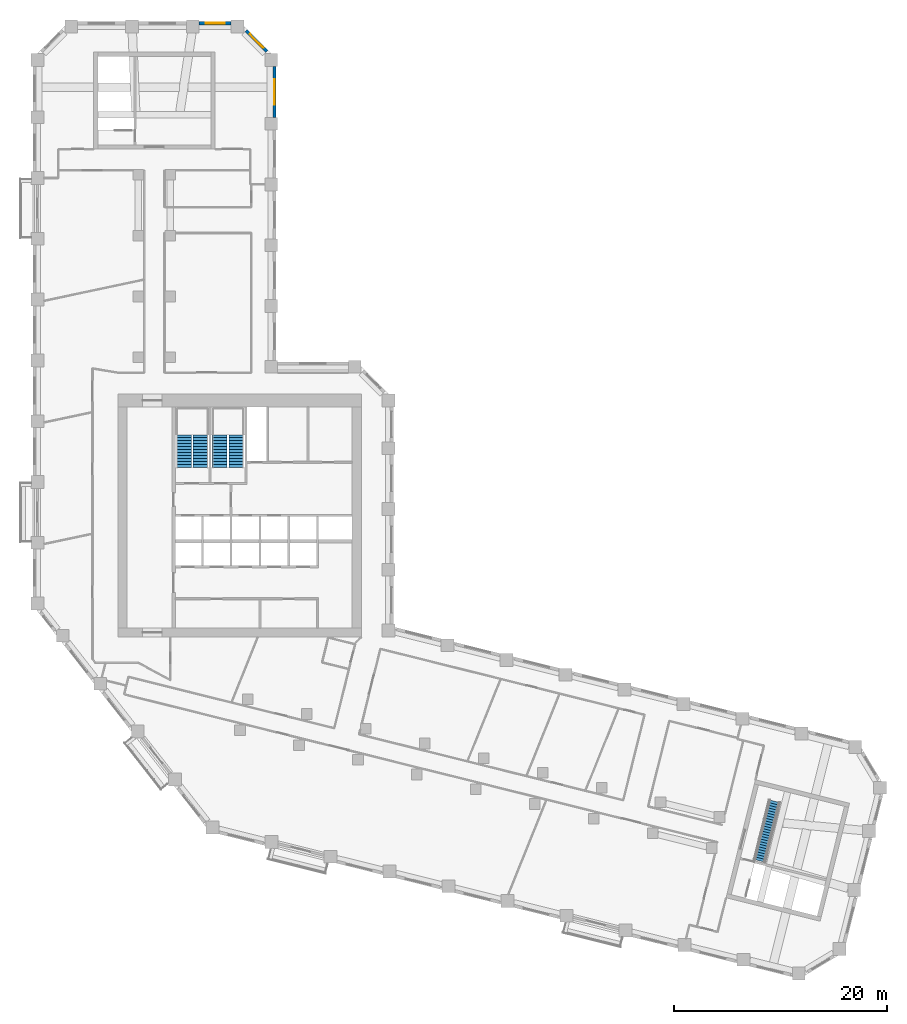
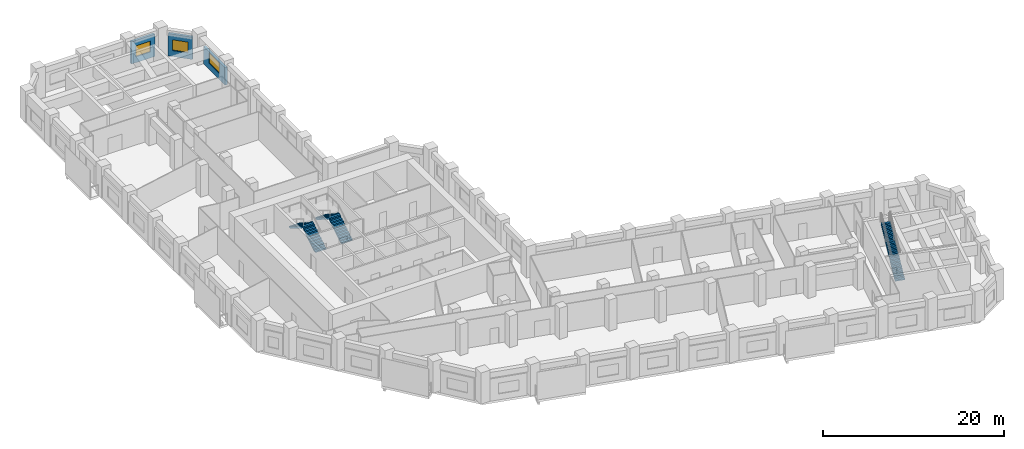
# One storey, part 9 of 10: 5 stair flights, 3 walls, 3 windows, 3 openings, 3 elements without a shape of their own.
"""IFC4 building model written with IfcOpenShell, lengths in metres."""

from ifc_helpers import new_model, si_unit, direction, frame, frame_2d, origin, place, context, subcontext, project, spatial, polyline, rectangle, outline, extrude, material, layer, layer_set, type_object, element, fill, aggregate, save


model = new_model("IFC4")

# Units and contexts
model_context = context("Model", 3, precision=1e-05, world=origin(), true_north=direction((0.0, 1.0)))
body_context = subcontext(model_context, "Body", "Model", "MODEL_VIEW")
ifc_project = project(units=[si_unit("LENGTHUNIT", "METRE"), si_unit("AREAUNIT", "SQUARE_METRE"), si_unit("VOLUMEUNIT", "CUBIC_METRE"), si_unit("PLANEANGLEUNIT", "RADIAN"), si_unit("MASSUNIT", "GRAM", prefix="KILO")], contexts=[model_context])

# Site, building, storey
site_placement = place(None, origin())
site = spatial("IfcSite", under=ifc_project, at=site_placement, CompositionType="ELEMENT")
building_placement = place(site_placement, origin())
building = spatial("IfcBuilding", under=site, at=building_placement, Name="Meshkara Civic Tower", CompositionType="ELEMENT")
storey_placement = place(building_placement, frame((0.0, 0.0, 216.0)))
storey = spatial("IfcBuildingStorey", under=building, at=storey_placement, Name="L49", CompositionType="ELEMENT", Elevation=216.0)

# Wall, opening, window
ifc_material_1 = material(Name="Insulated infill panel with bronze anodised aluminium cladding", Category="aluminium")
ifc_layer = layer(ifc_material_1, 0.300048828125)
ifc_layer_set = layer_set([ifc_layer], Name="EXTERNAL INFILL WALL 300")
wall_type = type_object("IfcWallType", Name="EXTERNAL INFILL WALL 300", PredefinedType="SOLIDWALL", material=ifc_layer_set)
wall_1_placement = place(storey_placement, frame((22.64990234375, 62.85009765625, 0.0), z_axis=(0.0, 0.0, 1.0), x_axis=(0.0, 1.0, 0.0)))
wall_1 = element("IfcWall", 1, at=wall_1_placement, inside=storey, type_object=wall_type, Name="External wall", PredefinedType="SOLIDWALL", context=body_context, shape_type="SweptSolid", body=[
    extrude(rectangle(XDim=4.763916015625, YDim=0.300048828125, at=frame_2d((2.3818359375, 0.0))), origin(), (0.0, 0.0, 1.0), 2.35009765625),
])
opening_1_placement = place(wall_1_placement, frame((1.181884765625, 0.0, 0.800048828125)))
opening_1 = element("IfcOpeningElement", 2, at=opening_1_placement, cuts=wall_1, Name="Opening W8", PredefinedType="OPENING", context=body_context, shape_type="SweptSolid", body=[
    extrude(rectangle(XDim=2.39990234375, YDim=1.449951171875, at=frame_2d((1.199951171875, 0.72509765625))), frame((0.0, 0.159912109375, 0.0), z_axis=(0.0, -1.0, 0.0), x_axis=(1.0, 0.0, 0.0)), (0.0, 0.0, 1.0), 0.320068359375),
])
ifc_material_2 = material(Name="Tinted double glazing", Category="glass")
window_type_1 = type_object("IfcWindowType", Name="WINDOW 2400x1450", PartitioningType="DOUBLE_PANEL_VERTICAL", PredefinedType="WINDOW", material=ifc_material_2)
window_1_placement = place(opening_1_placement, origin())
window_1 = element("IfcWindow", 3, at=window_1_placement, inside=storey, type_object=window_type_1, Name="Window", OverallHeight=1.449951171875, OverallWidth=2.39990234375, PartitioningType="DOUBLE_PANEL_VERTICAL", PredefinedType="WINDOW", context=body_context, shape_type="SweptSolid", body=[
    extrude(rectangle(XDim=2.39990234375, YDim=1.449951171875, at=frame_2d((1.199951171875, 0.72509765625))), frame((0.0, 0.030029296875, 0.0), z_axis=(0.0, -1.0, 0.0), x_axis=(1.0, 0.0, 0.0)), (0.0, 0.0, 1.0), 0.06005859375),
])
fill(opening_1, window_1)

wall_2_placement = place(storey_placement, frame((21.9619140625, 69.02587890625, 0.0), z_axis=(0.0, 0.0, 1.0), x_axis=(-0.707062649074, 0.707150910545, 0.0)))
wall_2 = element("IfcWall", 4, at=wall_2_placement, inside=storey, type_object=wall_type, Name="External wall", PredefinedType="SOLIDWALL", context=body_context, shape_type="SweptSolid", body=[
    extrude(rectangle(XDim=2.76611328125, YDim=0.300048828125, at=frame_2d((1.383056640625, 0.0))), origin(), (0.0, 0.0, 1.0), 3.0),
])
opening_2_placement = place(wall_2_placement, frame((0.48291015625, 0.0, 0.800048828125)))
opening_2 = element("IfcOpeningElement", 5, at=opening_2_placement, cuts=wall_2, Name="Opening W10", PredefinedType="OPENING", context=body_context, shape_type="SweptSolid", body=[
    extrude(rectangle(XDim=1.800048828125, YDim=1.449951171875, at=frame_2d((0.89990234375, 0.72509765625))), frame((0.0, 0.159912109375, 0.0), z_axis=(0.0, -1.0, 0.0), x_axis=(1.0, 0.0, 0.0)), (0.0, 0.0, 1.0), 0.320068359375),
])
ifc_material_3 = material(Name="Tinted double glazing", Category="glass")
window_type_2 = type_object("IfcWindowType", Name="WINDOW 1800x1450", PartitioningType="DOUBLE_PANEL_VERTICAL", PredefinedType="WINDOW", material=ifc_material_3)
window_2_placement = place(opening_2_placement, origin())
window_2 = element("IfcWindow", 6, at=window_2_placement, inside=storey, type_object=window_type_2, Name="Window", OverallHeight=1.449951171875, OverallWidth=1.800048828125, PartitioningType="DOUBLE_PANEL_VERTICAL", PredefinedType="WINDOW", context=body_context, shape_type="SweptSolid", body=[
    extrude(rectangle(XDim=1.800048828125, YDim=1.449951171875, at=frame_2d((0.89990234375, 0.72509765625))), frame((0.0, 0.030029296875, 0.0), z_axis=(0.0, -1.0, 0.0), x_axis=(1.0, 0.0, 0.0)), (0.0, 0.0, 1.0), 0.06005859375),
])
fill(opening_2, window_2)

wall_3_placement = place(storey_placement, frame((18.593994140625, 71.669921875, 0.0), z_axis=(0.0, 0.0, 1.0), x_axis=(-1.0, 0.0, 0.0)))
wall_3 = element("IfcWall", 7, at=wall_3_placement, inside=storey, type_object=wall_type, Name="External wall", PredefinedType="SOLIDWALL", context=body_context, shape_type="SweptSolid", body=[
    extrude(rectangle(XDim=2.988037109375, YDim=0.300048828125, at=frame_2d((1.494140625, 0.0))), origin(), (0.0, 0.0, 1.0), 3.0),
])
opening_3_placement = place(wall_3_placement, frame((0.593994140625, 0.0, 0.800048828125)))
opening_3 = element("IfcOpeningElement", 8, at=opening_3_placement, cuts=wall_3, Name="Opening W10", PredefinedType="OPENING", context=body_context, shape_type="SweptSolid", body=[
    extrude(rectangle(XDim=1.800048828125, YDim=1.449951171875, at=frame_2d((0.89990234375, 0.72509765625))), frame((0.0, 0.159912109375, 0.0), z_axis=(0.0, -1.0, 0.0), x_axis=(1.0, 0.0, 0.0)), (0.0, 0.0, 1.0), 0.320068359375),
])
window_3_placement = place(opening_3_placement, origin())
window_3 = element("IfcWindow", 9, at=window_3_placement, inside=storey, type_object=window_type_2, Name="Window", OverallHeight=1.449951171875, OverallWidth=1.800048828125, PartitioningType="DOUBLE_PANEL_VERTICAL", PredefinedType="WINDOW", context=body_context, shape_type="SweptSolid", body=[
    extrude(rectangle(XDim=1.800048828125, YDim=1.449951171875, at=frame_2d((0.89990234375, 0.72509765625))), frame((0.0, 0.030029296875, 0.0), z_axis=(0.0, -1.0, 0.0), x_axis=(1.0, 0.0, 0.0)), (0.0, 0.0, 1.0), 0.06005859375),
])
fill(opening_3, window_3)

# Stair, stair flights
ifc_material_4 = material(Name="Precast concrete C40/50", Category="concrete")
stair_type_1 = type_object("IfcStairType", Name="Exit stair half-turn 24 risers precast", PredefinedType="HALF_TURN_STAIR", material=ifc_material_4)
stair_1_placement = place(storey_placement, origin())
stair_1 = element("IfcStair", 10, at=stair_1_placement, inside=storey, type_object=stair_type_1, Name="L49 exit stair 1", PredefinedType="HALF_TURN_STAIR")
ifc_material_5 = material(Name="Precast concrete C40/50", Category="concrete")
stair_flight_type_1 = type_object("IfcStairFlightType", Name="Exit stair flight 12 risers precast", PredefinedType="STRAIGHT", material=ifc_material_5)
stair_flight_1_placement = place(storey_placement, frame((15.72509765625, 30.0, 0.0), z_axis=(0.0, 0.0, 1.0), x_axis=(0.0, 1.0, 0.0)))
stair_flight_1 = element("IfcStairFlight", 11, at=stair_flight_1_placement, type_object=stair_flight_type_1, Name="ST1 flight 1", NumberOfRisers=12, NumberOfTreads=11, PredefinedType="STRAIGHT", RiserHeight=0.175, TreadLength=0.28, context=body_context, shape_type="SweptSolid", body=[
    extrude(outline(polyline([(0.0, 0.0), (0.0, 0.175048828125), (0.280029296875, 0.175048828125), (0.280029296875, 0.35009765625), (0.56005859375, 0.35009765625), (0.56005859375, 0.52490234375), (0.840087890625, 0.52490234375), (0.840087890625, 0.699951171875), (1.1201171875, 0.699951171875), (1.1201171875, 0.875), (1.39990234375, 0.875), (1.39990234375, 1.050048828125), (1.679931640625, 1.050048828125), (1.679931640625, 1.22509765625), (1.9599609375, 1.22509765625), (1.9599609375, 1.39990234375), (2.239990234375, 1.39990234375), (2.239990234375, 1.574951171875), (2.52001953125, 1.574951171875), (2.52001953125, 1.75), (2.800048828125, 1.75), (2.800048828125, 1.925048828125), (3.080078125, 1.925048828125), (3.080078125, 2.10009765625), (3.080078125, 1.748291015625), (0.28271484375, 0.0), (0.0, 0.0)])), frame((0.0, 0.699951171875, 0.0), z_axis=(0.0, -1.0, 0.0), x_axis=(1.0, 0.0, 0.0)), (0.0, 0.0, 1.0), 1.39990234375),
])
stair_flight_2_placement = place(storey_placement, frame((14.175048828125, 33.080078125, 2.10009765625), z_axis=(0.0, 0.0, 1.0), x_axis=(0.0, -1.0, 0.0)))
stair_flight_2 = element("IfcStairFlight", 12, at=stair_flight_2_placement, type_object=stair_flight_type_1, Name="ST1 flight 2", NumberOfRisers=12, NumberOfTreads=11, PredefinedType="STRAIGHT", RiserHeight=0.175, TreadLength=0.28, context=body_context, shape_type="SweptSolid", body=[
    extrude(outline(polyline([(0.0, 0.0), (0.0, 0.175048828125), (0.280029296875, 0.175048828125), (0.280029296875, 0.35009765625), (0.56005859375, 0.35009765625), (0.56005859375, 0.52490234375), (0.840087890625, 0.52490234375), (0.840087890625, 0.699951171875), (1.1201171875, 0.699951171875), (1.1201171875, 0.875), (1.39990234375, 0.875), (1.39990234375, 1.050048828125), (1.679931640625, 1.050048828125), (1.679931640625, 1.22509765625), (1.9599609375, 1.22509765625), (1.9599609375, 1.39990234375), (2.239990234375, 1.39990234375), (2.239990234375, 1.574951171875), (2.52001953125, 1.574951171875), (2.52001953125, 1.75), (2.800048828125, 1.75), (2.800048828125, 1.925048828125), (3.080078125, 1.925048828125), (3.080078125, 2.10009765625), (3.080078125, 1.748291015625), (0.28271484375, 0.0), (0.0, 0.0)])), frame((0.0, 0.699951171875, 0.0), z_axis=(0.0, -1.0, 0.0), x_axis=(1.0, 0.0, 0.0)), (0.0, 0.0, 1.0), 1.39990234375),
])
aggregate(stair_1, [stair_flight_1, stair_flight_2])

stair_2_placement = place(storey_placement, origin())
stair_2 = element("IfcStair", 13, at=stair_2_placement, inside=storey, type_object=stair_type_1, Name="L49 exit stair 2", PredefinedType="HALF_TURN_STAIR")
stair_flight_3_placement = place(storey_placement, frame((19.074951171875, 30.0, 0.0), z_axis=(0.0, 0.0, 1.0), x_axis=(0.0, 1.0, 0.0)))
stair_flight_3 = element("IfcStairFlight", 14, at=stair_flight_3_placement, type_object=stair_flight_type_1, Name="ST2 flight 1", NumberOfRisers=12, NumberOfTreads=11, PredefinedType="STRAIGHT", RiserHeight=0.175, TreadLength=0.28, context=body_context, shape_type="SweptSolid", body=[
    extrude(outline(polyline([(0.0, 0.0), (0.0, 0.175048828125), (0.280029296875, 0.175048828125), (0.280029296875, 0.35009765625), (0.56005859375, 0.35009765625), (0.56005859375, 0.52490234375), (0.840087890625, 0.52490234375), (0.840087890625, 0.699951171875), (1.1201171875, 0.699951171875), (1.1201171875, 0.875), (1.39990234375, 0.875), (1.39990234375, 1.050048828125), (1.679931640625, 1.050048828125), (1.679931640625, 1.22509765625), (1.9599609375, 1.22509765625), (1.9599609375, 1.39990234375), (2.239990234375, 1.39990234375), (2.239990234375, 1.574951171875), (2.52001953125, 1.574951171875), (2.52001953125, 1.75), (2.800048828125, 1.75), (2.800048828125, 1.925048828125), (3.080078125, 1.925048828125), (3.080078125, 2.10009765625), (3.080078125, 1.748291015625), (0.28271484375, 0.0), (0.0, 0.0)])), frame((0.0, 0.699951171875, 0.0), z_axis=(0.0, -1.0, 0.0), x_axis=(1.0, 0.0, 0.0)), (0.0, 0.0, 1.0), 1.39990234375),
])
stair_flight_4_placement = place(storey_placement, frame((17.52490234375, 33.080078125, 2.10009765625), z_axis=(0.0, 0.0, 1.0), x_axis=(0.0, -1.0, 0.0)))
stair_flight_4 = element("IfcStairFlight", 15, at=stair_flight_4_placement, type_object=stair_flight_type_1, Name="ST2 flight 2", NumberOfRisers=12, NumberOfTreads=11, PredefinedType="STRAIGHT", RiserHeight=0.175, TreadLength=0.28, context=body_context, shape_type="SweptSolid", body=[
    extrude(outline(polyline([(0.0, 0.0), (0.0, 0.175048828125), (0.280029296875, 0.175048828125), (0.280029296875, 0.35009765625), (0.56005859375, 0.35009765625), (0.56005859375, 0.52490234375), (0.840087890625, 0.52490234375), (0.840087890625, 0.699951171875), (1.1201171875, 0.699951171875), (1.1201171875, 0.875), (1.39990234375, 0.875), (1.39990234375, 1.050048828125), (1.679931640625, 1.050048828125), (1.679931640625, 1.22509765625), (1.9599609375, 1.22509765625), (1.9599609375, 1.39990234375), (2.239990234375, 1.39990234375), (2.239990234375, 1.574951171875), (2.52001953125, 1.574951171875), (2.52001953125, 1.75), (2.800048828125, 1.75), (2.800048828125, 1.925048828125), (3.080078125, 1.925048828125), (3.080078125, 2.10009765625), (3.080078125, 1.748291015625), (0.28271484375, 0.0), (0.0, 0.0)])), frame((0.0, 0.699951171875, 0.0), z_axis=(0.0, -1.0, 0.0), x_axis=(1.0, 0.0, 0.0)), (0.0, 0.0, 1.0), 1.39990234375),
])
aggregate(stair_2, [stair_flight_3, stair_flight_4])

# Stair, stair flight
ifc_material_6 = material(Name="Precast concrete C40/50", Category="concrete")
stair_type_2 = type_object("IfcStairType", Name="Exit stair straight 24 risers 1120 precast", PredefinedType="STRAIGHT_RUN_STAIR", material=ifc_material_6)
stair_3_placement = place(storey_placement, origin())
stair_3 = element("IfcStair", 16, at=stair_3_placement, inside=storey, type_object=stair_type_2, Name="L49 end core B exit stair 2", PredefinedType="STRAIGHT_RUN_STAIR")
ifc_material_7 = material(Name="Precast concrete C40/50", Category="concrete")
stair_flight_type_2 = type_object("IfcStairFlightType", Name="Exit stair flight 24 risers 1120 precast", PredefinedType="STRAIGHT", material=ifc_material_7)
stair_flight_5_placement = place(storey_placement, frame((68.154052734375, -6.862060546875, 0.0), z_axis=(0.0, 0.0, 1.0), x_axis=(0.2419218956, 0.970295726276, 0.0)))
stair_flight_5 = element("IfcStairFlight", 17, at=stair_flight_5_placement, type_object=stair_flight_type_2, Name="ESBT flight 1", NumberOfRisers=24, NumberOfTreads=23, PredefinedType="STRAIGHT", RiserHeight=0.175, TreadLength=0.25, context=body_context, shape_type="SweptSolid", body=[
    extrude(outline(polyline([(0.0, 0.0), (0.0, 0.175048828125), (0.25, 0.175048828125), (0.25, 0.35009765625), (0.5, 0.35009765625), (0.5, 0.52490234375), (0.75, 0.52490234375), (0.75, 0.699951171875), (1.0, 0.699951171875), (1.0, 0.875), (1.25, 0.875), (1.25, 1.050048828125), (1.5, 1.050048828125), (1.5, 1.22509765625), (1.75, 1.22509765625), (1.75, 1.39990234375), (2.0, 1.39990234375), (2.0, 1.574951171875), (2.25, 1.574951171875), (2.25, 1.75), (2.5, 1.75), (2.5, 1.925048828125), (2.75, 1.925048828125), (2.75, 2.10009765625), (3.0, 2.10009765625), (3.0, 2.27490234375), (3.25, 2.27490234375), (3.25, 2.449951171875), (3.5, 2.449951171875), (3.5, 2.625), (3.75, 2.625), (3.75, 2.800048828125), (4.0, 2.800048828125), (4.0, 2.97509765625), (4.25, 2.97509765625), (4.25, 3.14990234375), (4.5, 3.14990234375), (4.5, 3.324951171875), (4.75, 3.324951171875), (4.75, 3.5), (5.0, 3.5), (5.0, 3.675048828125), (5.25, 3.675048828125), (5.25, 3.85009765625), (5.5, 3.85009765625), (5.5, 4.02490234375), (5.75, 4.02490234375), (5.75, 4.199951171875), (5.75, 3.842041015625), (0.261474609375, 0.0), (0.0, 0.0)])), frame((0.0, 0.56005859375, 0.0), z_axis=(0.0, -1.0, 0.0), x_axis=(1.0, 0.0, 0.0)), (0.0, 0.0, 1.0), 1.1201171875),
])
aggregate(stair_3, [stair_flight_5])

save(model, "model.ifc")
